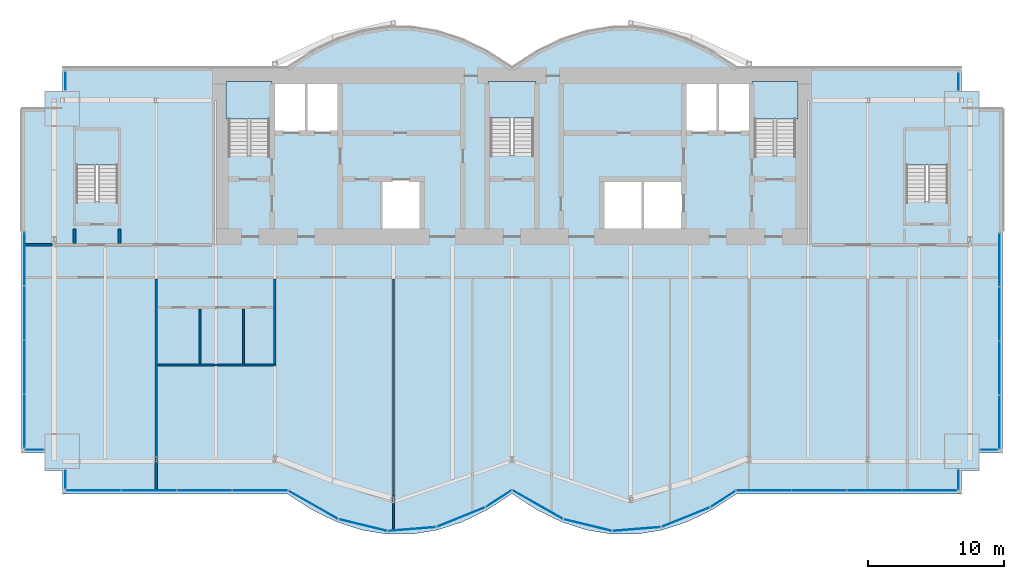
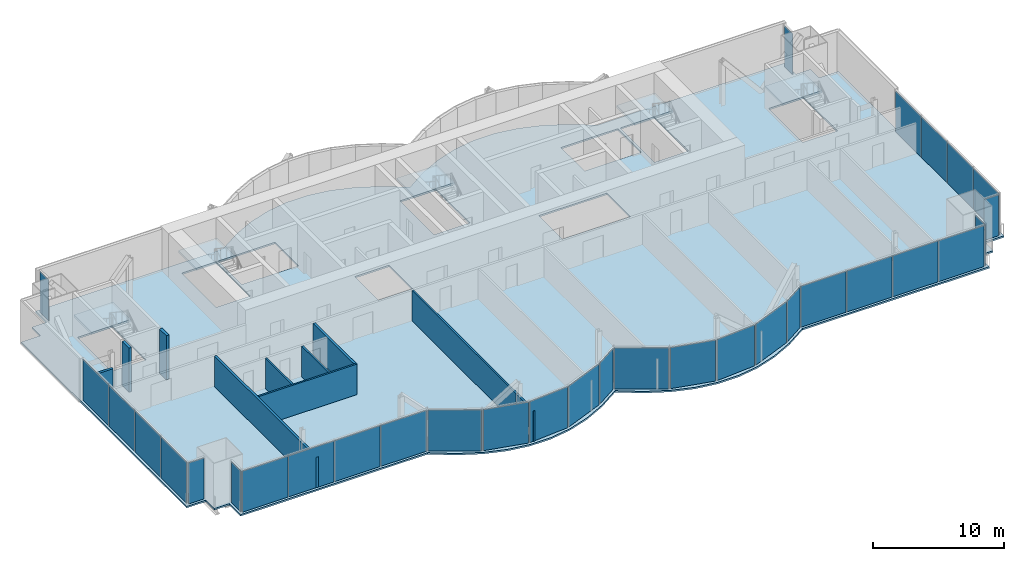
# One storey, part 13 of 20: 32 plates, 10 walls, 6 slabs, 17 elements without a shape of their own.
"""IFC4 building model written with IfcOpenShell, lengths in metres."""

from ifc_helpers import new_model, si_unit, direction, frame, frame_2d, origin, origin_2d, place, context, subcontext, project, spatial, polyline, rectangle, outline, extrude, material, layer, layer_set, type_object, element, aggregate, save


model = new_model("IFC4")

# Units and contexts
model_context = context("Model", 3, precision=1e-05, world=origin(), true_north=direction((0.0, 1.0)))
body_context = subcontext(model_context, "Body", "Model", "MODEL_VIEW")
ifc_project = project(units=[si_unit("LENGTHUNIT", "METRE"), si_unit("AREAUNIT", "SQUARE_METRE"), si_unit("VOLUMEUNIT", "CUBIC_METRE"), si_unit("PLANEANGLEUNIT", "RADIAN"), si_unit("MASSUNIT", "GRAM", prefix="KILO")], contexts=[model_context])

# Site, building, storey
site_placement = place(None, origin())
site = spatial("IfcSite", under=ifc_project, at=site_placement, CompositionType="ELEMENT")
building_placement = place(site_placement, origin())
building = spatial("IfcBuilding", under=site, at=building_placement, Name="Bicima Exchange Tower", CompositionType="ELEMENT")
storey_placement = place(building_placement, frame((0.0, 0.0, 223.699951171875)))
storey = spatial("IfcBuildingStorey", under=building, at=storey_placement, Name="L50", CompositionType="ELEMENT", Elevation=223.699951171875)

# Slab
ifc_material_1 = material(Name="Concrete C40/50", Category="concrete")
ifc_layer_1 = layer(ifc_material_1, 0.14990234375)
ifc_layer_set_1 = layer_set([ifc_layer_1], Name="Concrete C40/50")
slab_type_1 = type_object("IfcSlabType", Name="Composite floor slab 150", PredefinedType="FLOOR", material=ifc_layer_set_1)
slab_1_placement = place(storey_placement, frame((0.0, 0.0, -0.14990234375)))
element("IfcSlab", 1, at=slab_1_placement, inside=storey, type_object=slab_type_1, Name="Floor slab", PredefinedType="FLOOR", context=body_context, shape_type="SweptSolid", body=[
    extrude(outline(polyline([(-36.0, -28.263916015625), (-36.0, -3.0), (-34.300048828125, -3.0), (-34.300048828125, -1.699951171875), (-33.0, -1.699951171875), (-33.0, 0.0), (-16.5, 0.0), (-14.666748046875, 1.185302734375), (-12.833251953125, 2.07421875), (-11.0, 2.666748046875), (-9.166748046875, 2.962890625), (-7.333251953125, 2.962890625), (-5.5, 2.666748046875), (-3.666748046875, 2.07421875), (-1.833251953125, 1.185302734375), (0.0, 0.0), (1.833251953125, 1.185302734375), (3.666748046875, 2.07421875), (5.5, 2.666748046875), (7.333251953125, 2.962890625), (9.166748046875, 2.962890625), (11.0, 2.666748046875), (12.833251953125, 2.07421875), (14.666748046875, 1.185302734375), (16.5, 0.0), (33.0, 0.0), (33.0, -1.699951171875), (34.300048828125, -1.699951171875), (34.300048828125, -3.0), (36.0, -3.0), (36.0, -28.263916015625), (34.300048828125, -28.263916015625), (34.300048828125, -29.56396484375), (33.0, -29.56396484375), (33.0, -31.263916015625), (16.5, -31.263916015625), (14.666748046875, -32.44921875), (12.833251953125, -33.338134765625), (11.0, -33.9306640625), (9.166748046875, -34.22705078125), (7.333251953125, -34.22705078125), (5.5, -33.9306640625), (3.666748046875, -33.338134765625), (1.833251953125, -32.44921875), (0.0, -31.263916015625), (-1.833251953125, -32.44921875), (-3.666748046875, -33.338134765625), (-5.5, -33.9306640625), (-7.333251953125, -34.22705078125), (-9.166748046875, -34.22705078125), (-11.0, -33.9306640625), (-12.833251953125, -33.338134765625), (-14.666748046875, -32.44921875), (-16.5, -31.263916015625), (-33.0, -31.263916015625), (-33.0, -29.56396484375), (-34.300048828125, -29.56396484375), (-34.300048828125, -28.263916015625), (-36.0, -28.263916015625)]), holes=[polyline([(-6.60009765625, -11.800048828125), (-6.60009765625, -8.199951171875), (-9.60009765625, -8.199951171875), (-9.60009765625, -11.800048828125), (-6.60009765625, -11.800048828125)]), polyline([(-31.97509765625, -9.824951171875), (-28.925048828125, -9.824951171875), (-28.925048828125, -4.625), (-31.97509765625, -4.625), (-31.97509765625, -9.824951171875)]), polyline([(-20.800048828125, -6.449951171875), (-17.800048828125, -6.449951171875), (-17.800048828125, -1.199951171875), (-20.800048828125, -1.199951171875), (-20.800048828125, -6.449951171875)]), polyline([(1.574951171875, -6.39990234375), (1.574951171875, -1.199951171875), (-1.574951171875, -1.199951171875), (-1.574951171875, -6.39990234375), (1.574951171875, -6.39990234375)]), polyline([(-12.60009765625, -4.800048828125), (-12.60009765625, -1.199951171875), (-15.10009765625, -1.199951171875), (-17.60009765625, -1.199951171875), (-17.60009765625, -4.800048828125), (-15.10009765625, -4.800048828125), (-12.60009765625, -4.800048828125)]), polyline([(12.60009765625, -8.199951171875), (9.60009765625, -8.199951171875), (6.60009765625, -8.199951171875), (6.60009765625, -11.800048828125), (9.60009765625, -11.800048828125), (12.60009765625, -11.800048828125), (12.60009765625, -8.199951171875)]), polyline([(28.925048828125, -9.824951171875), (31.97509765625, -9.824951171875), (31.97509765625, -4.625), (28.925048828125, -4.625), (28.925048828125, -9.824951171875)]), polyline([(20.800048828125, -6.449951171875), (20.800048828125, -1.199951171875), (17.800048828125, -1.199951171875), (17.800048828125, -6.449951171875), (20.800048828125, -6.449951171875)]), polyline([(17.60009765625, -4.800048828125), (17.60009765625, -1.199951171875), (15.10009765625, -1.199951171875), (12.60009765625, -1.199951171875), (12.60009765625, -4.800048828125), (15.10009765625, -4.800048828125), (17.60009765625, -4.800048828125)])]), origin(), (0.0, 0.0, 1.0), 0.14990234375),
])

# Curtain wall, plate
ifc_material_2 = material(Name="Anodised bronze aluminium", Category="aluminium")
curtain_wall_type_1 = type_object("IfcCurtainWallType", Name="End face glass wall", PredefinedType="NOTDEFINED", material=ifc_material_2)
curtain_wall_1_placement = place(storey_placement, origin())
curtain_wall_1 = element("IfcCurtainWall", 2, at=curtain_wall_1_placement, inside=storey, type_object=curtain_wall_type_1, Name="End face glass wall L50 run 2", PredefinedType="NOTDEFINED")
ifc_material_3 = material(Name="Bronze tinted glass", Category="glass")
ifc_layer_2 = layer(ifc_material_3, 0.031982421875)
ifc_layer_set_2 = layer_set([ifc_layer_2], Name="Bronze tinted glass")
plate_type_1 = type_object("IfcPlateType", Name="End face glass wall glass panel 32", PredefinedType="CURTAIN_PANEL", material=ifc_layer_set_2)
plate_1_placement = place(storey_placement, frame((-35.77001953125, -25.937255859375, 0.0), z_axis=(0.0, 0.0, 1.0), x_axis=(0.0, -1.0, 0.0)))
plate_1 = element("IfcPlate", 3, at=plate_1_placement, type_object=plate_type_1, Name="End face glass wall panel 4.1", PredefinedType="CURTAIN_PANEL", context=body_context, shape_type="SweptSolid", body=[
    extrude(rectangle(XDim=3.91357421875, YDim=0.031982421875, at=origin_2d()), origin(), (0.0, 0.0, 1.0), 3.81005859375),
])

curtain_wall_2_placement = place(storey_placement, origin())
curtain_wall_2 = element("IfcCurtainWall", 4, at=curtain_wall_2_placement, inside=storey, type_object=curtain_wall_type_1, Name="End face glass wall L50 run 19", PredefinedType="NOTDEFINED")
plate_2_placement = place(storey_placement, frame((35.77001953125, -26.017333984375, 0.0), z_axis=(0.0, 0.0, 1.0), x_axis=(0.0, 1.0, 0.0)))
plate_2 = element("IfcPlate", 5, at=plate_2_placement, type_object=plate_type_1, Name="End face glass wall panel 1.1", PredefinedType="CURTAIN_PANEL", context=body_context, shape_type="SweptSolid", body=[
    extrude(rectangle(XDim=3.91357421875, YDim=0.031982421875, at=origin_2d()), origin(), (0.0, 0.0, 1.0), 3.81005859375),
])

# Plate
ifc_material_4 = material(Name="Bronze anodised aluminium", Category="aluminium")
ifc_layer_3 = layer(ifc_material_4, 0.031982421875)
ifc_layer_set_3 = layer_set([ifc_layer_3], Name="Bronze anodised aluminium")
plate_type_2 = type_object("IfcPlateType", Name="End face glass wall spandrel panel 32", PredefinedType="CURTAIN_PANEL", material=ifc_layer_set_3)
plate_3_placement = place(storey_placement, frame((-35.77001953125, -14.016845703125, 0.0), z_axis=(0.0, 0.0, 1.0), x_axis=(0.0, -1.0, 0.0)))
plate_3 = element("IfcPlate", 6, at=plate_3_placement, type_object=plate_type_2, Name="End face spandrel wall panel 1.1", PredefinedType="CURTAIN_PANEL", context=body_context, shape_type="SweptSolid", body=[
    extrude(rectangle(XDim=3.91357421875, YDim=0.031982421875, at=origin_2d()), origin(), (0.0, 0.0, 1.0), 3.81005859375),
])

plate_4_placement = place(storey_placement, frame((-35.77001953125, -17.990234375, 0.0), z_axis=(0.0, 0.0, 1.0), x_axis=(0.0, -1.0, 0.0)))
plate_4 = element("IfcPlate", 7, at=plate_4_placement, type_object=plate_type_2, Name="End face spandrel wall panel 2.1", PredefinedType="CURTAIN_PANEL", context=body_context, shape_type="SweptSolid", body=[
    extrude(rectangle(XDim=3.91357421875, YDim=0.031982421875, at=origin_2d()), origin(), (0.0, 0.0, 1.0), 3.81005859375),
])

plate_5_placement = place(storey_placement, frame((-35.77001953125, -21.9638671875, 0.0), z_axis=(0.0, 0.0, 1.0), x_axis=(0.0, -1.0, 0.0)))
plate_5 = element("IfcPlate", 8, at=plate_5_placement, type_object=plate_type_2, Name="End face spandrel wall panel 3.1", PredefinedType="CURTAIN_PANEL", context=body_context, shape_type="SweptSolid", body=[
    extrude(rectangle(XDim=3.91357421875, YDim=0.031982421875, at=origin_2d()), origin(), (0.0, 0.0, 1.0), 3.81005859375),
])

aggregate(curtain_wall_1, [plate_3, plate_4, plate_5, plate_1])

plate_6_placement = place(storey_placement, frame((35.77001953125, -22.043701171875, 0.0), z_axis=(0.0, 0.0, 1.0), x_axis=(0.0, 1.0, 0.0)))
plate_6 = element("IfcPlate", 9, at=plate_6_placement, type_object=plate_type_2, Name="End face spandrel wall panel 2.1", PredefinedType="CURTAIN_PANEL", context=body_context, shape_type="SweptSolid", body=[
    extrude(rectangle(XDim=3.91357421875, YDim=0.031982421875, at=origin_2d()), origin(), (0.0, 0.0, 1.0), 3.81005859375),
])

plate_7_placement = place(storey_placement, frame((35.77001953125, -18.0703125, 0.0), z_axis=(0.0, 0.0, 1.0), x_axis=(0.0, 1.0, 0.0)))
plate_7 = element("IfcPlate", 10, at=plate_7_placement, type_object=plate_type_2, Name="End face spandrel wall panel 3.1", PredefinedType="CURTAIN_PANEL", context=body_context, shape_type="SweptSolid", body=[
    extrude(rectangle(XDim=3.91357421875, YDim=0.031982421875, at=origin_2d()), origin(), (0.0, 0.0, 1.0), 3.81005859375),
])

plate_8_placement = place(storey_placement, frame((35.77001953125, -14.0966796875, 0.0), z_axis=(0.0, 0.0, 1.0), x_axis=(0.0, 1.0, 0.0)))
plate_8 = element("IfcPlate", 11, at=plate_8_placement, type_object=plate_type_2, Name="End face spandrel wall panel 4.1", PredefinedType="CURTAIN_PANEL", context=body_context, shape_type="SweptSolid", body=[
    extrude(rectangle(XDim=3.91357421875, YDim=0.031982421875, at=origin_2d()), origin(), (0.0, 0.0, 1.0), 3.81005859375),
])

aggregate(curtain_wall_2, [plate_2, plate_6, plate_7, plate_8])

# Curtain wall, plate
curtain_wall_type_2 = type_object("IfcCurtainWallType", Name="Front glass wall", PredefinedType="NOTDEFINED", material=ifc_material_2)
curtain_wall_3_placement = place(storey_placement, origin())
curtain_wall_3 = element("IfcCurtainWall", 12, at=curtain_wall_3_placement, inside=storey, type_object=curtain_wall_type_2, Name="Front glass wall L50 run 1", PredefinedType="NOTDEFINED")
ifc_layer_4 = layer(ifc_material_3, 0.031982421875)
ifc_layer_set_4 = layer_set([ifc_layer_4], Name="Bronze tinted glass")
plate_type_3 = type_object("IfcPlateType", Name="Front glass wall glass panel 32", PredefinedType="CURTAIN_PANEL", material=ifc_layer_set_4)
plate_9_placement = place(storey_placement, frame((-32.77001953125, -0.965087890625, 0.0), z_axis=(0.0, 0.0, 1.0), x_axis=(0.0, -1.0, 0.0)))
plate_9 = element("IfcPlate", 13, at=plate_9_placement, type_object=plate_type_3, Name="Front glass wall panel 1.1", PredefinedType="CURTAIN_PANEL", context=body_context, shape_type="SweptSolid", body=[
    extrude(rectangle(XDim=1.35009765625, YDim=0.031982421875, at=origin_2d()), origin(), (0.0, 0.0, 1.0), 3.81005859375),
])
aggregate(curtain_wall_3, [plate_9])

curtain_wall_4_placement = place(storey_placement, origin())
curtain_wall_4 = element("IfcCurtainWall", 14, at=curtain_wall_4_placement, inside=storey, type_object=curtain_wall_type_2, Name="Front glass wall L50 run 3", PredefinedType="NOTDEFINED")
plate_10_placement = place(storey_placement, frame((-35.034912109375, -28.033935546875, 0.0), z_axis=(0.0, 0.0, 1.0), x_axis=(1.0, 0.0, 0.0)))
plate_10 = element("IfcPlate", 15, at=plate_10_placement, type_object=plate_type_3, Name="Front glass wall panel 1.1", PredefinedType="CURTAIN_PANEL", context=body_context, shape_type="SweptSolid", body=[
    extrude(rectangle(XDim=1.35009765625, YDim=0.031982421875, at=origin_2d()), origin(), (0.0, 0.0, 1.0), 3.81005859375),
])
aggregate(curtain_wall_4, [plate_10])

curtain_wall_5_placement = place(storey_placement, origin())
curtain_wall_5 = element("IfcCurtainWall", 16, at=curtain_wall_5_placement, inside=storey, type_object=curtain_wall_type_2, Name="Front glass wall L50 run 4", PredefinedType="NOTDEFINED")
plate_11_placement = place(storey_placement, frame((-32.77001953125, -30.197998046875, 0.0), z_axis=(0.0, 0.0, 1.0), x_axis=(0.0, -1.0, 0.0)))
plate_11 = element("IfcPlate", 17, at=plate_11_placement, type_object=plate_type_3, Name="Front glass wall panel 1.1", PredefinedType="CURTAIN_PANEL", context=body_context, shape_type="SweptSolid", body=[
    extrude(rectangle(XDim=1.39208984375, YDim=0.031982421875, at=origin_2d()), origin(), (0.0, 0.0, 1.0), 3.81005859375),
])
aggregate(curtain_wall_5, [plate_11])

# Curtain wall, plates
curtain_wall_6_placement = place(storey_placement, origin())
curtain_wall_6 = element("IfcCurtainWall", 18, at=curtain_wall_6_placement, inside=storey, type_object=curtain_wall_type_2, Name="Front glass wall L50 run 5", PredefinedType="NOTDEFINED")
plate_12_placement = place(storey_placement, frame((-30.705322265625, -31.033935546875, 0.0), z_axis=(0.0, 0.0, 1.0), x_axis=(1.0, 0.0, 0.0)))
plate_12 = element("IfcPlate", 19, at=plate_12_placement, type_object=plate_type_3, Name="Front glass wall panel 1.1", PredefinedType="CURTAIN_PANEL", context=body_context, shape_type="SweptSolid", body=[
    extrude(rectangle(XDim=4.009521484375, YDim=0.031982421875, at=origin_2d()), origin(), (0.0, 0.0, 1.0), 3.81005859375),
])
plate_13_placement = place(storey_placement, frame((-18.496826171875, -31.033935546875, 0.0), z_axis=(0.0, 0.0, 1.0), x_axis=(1.0, 0.0, 0.0)))
plate_13 = element("IfcPlate", 20, at=plate_13_placement, type_object=plate_type_3, Name="Front glass wall panel 4.1", PredefinedType="CURTAIN_PANEL", context=body_context, shape_type="SweptSolid", body=[
    extrude(rectangle(XDim=4.009521484375, YDim=0.031982421875, at=origin_2d()), origin(), (0.0, 0.0, 1.0), 3.81005859375),
])

curtain_wall_7_placement = place(storey_placement, origin())
curtain_wall_7 = element("IfcCurtainWall", 21, at=curtain_wall_7_placement, inside=storey, type_object=curtain_wall_type_2, Name="Front glass wall L50 run 6", PredefinedType="NOTDEFINED")
plate_14_placement = place(storey_placement, frame((-14.589599609375, -32.0791015625, 0.0), z_axis=(0.0, 0.0, 1.0), x_axis=(0.869805110681, -0.493395449343, 0.0)))
plate_14 = element("IfcPlate", 22, at=plate_14_placement, type_object=plate_type_3, Name="Front glass wall panel 1.1", PredefinedType="CURTAIN_PANEL", context=body_context, shape_type="SweptSolid", body=[
    extrude(rectangle(XDim=4.1162109375, YDim=0.031982421875, at=origin_2d()), origin(), (0.0, 0.0, 1.0), 3.81005859375),
])
plate_15_placement = place(storey_placement, frame((-3.750244140625, -32.977294921875, 0.0), z_axis=(0.0, 0.0, 1.0), x_axis=(0.92714396679, 0.374705304, 0.0)))
plate_15 = element("IfcPlate", 23, at=plate_15_placement, type_object=plate_type_3, Name="Front glass wall panel 1.1", PredefinedType="CURTAIN_PANEL", context=body_context, shape_type="SweptSolid", body=[
    extrude(rectangle(XDim=3.771240234375, YDim=0.031982421875, at=origin_2d()), origin(), (0.0, 0.0, 1.0), 3.81005859375),
])
plate_16_placement = place(storey_placement, frame((-0.97314453125, -31.619140625, 0.0), z_axis=(0.0, 0.0, 1.0), x_axis=(0.839798994301, 0.542897457326, 0.0)))
plate_16 = element("IfcPlate", 24, at=plate_16_placement, type_object=plate_type_3, Name="Front glass wall panel 1.1", PredefinedType="CURTAIN_PANEL", context=body_context, shape_type="SweptSolid", body=[
    extrude(rectangle(XDim=2.197509765625, YDim=0.031982421875, at=origin_2d()), origin(), (0.0, 0.0, 1.0), 3.81005859375),
])

curtain_wall_8_placement = place(storey_placement, origin())
curtain_wall_8 = element("IfcCurtainWall", 25, at=curtain_wall_8_placement, inside=storey, type_object=curtain_wall_type_2, Name="Front glass wall L50 run 11", PredefinedType="NOTDEFINED")
plate_17_placement = place(storey_placement, frame((1.876220703125, -32.05712890625, 0.0), z_axis=(0.0, 0.0, 1.0), x_axis=(0.869274147378, -0.494330311331, 0.0)))
plate_17 = element("IfcPlate", 26, at=plate_17_placement, type_object=plate_type_3, Name="Front glass wall panel 1.1", PredefinedType="CURTAIN_PANEL", context=body_context, shape_type="SweptSolid", body=[
    extrude(rectangle(XDim=4.197021484375, YDim=0.031982421875, at=origin_2d()), origin(), (0.0, 0.0, 1.0), 3.81005859375),
])
plate_18_placement = place(storey_placement, frame((5.55224609375, -33.560546875, 0.0), z_axis=(0.0, 0.0, 1.0), x_axis=(0.971830343553, -0.235681529503, 0.0)))
plate_18 = element("IfcPlate", 27, at=plate_18_placement, type_object=plate_type_3, Name="Front glass wall panel 1.1", PredefinedType="CURTAIN_PANEL", context=body_context, shape_type="SweptSolid", body=[
    extrude(rectangle(XDim=3.583251953125, YDim=0.031982421875, at=origin_2d()), origin(), (0.0, 0.0, 1.0), 3.81005859375),
])
plate_19_placement = place(storey_placement, frame((12.749755859375, -32.977294921875, 0.0), z_axis=(0.0, 0.0, 1.0), x_axis=(0.92714396679, 0.374705304, 0.0)))
plate_19 = element("IfcPlate", 28, at=plate_19_placement, type_object=plate_type_3, Name="Front glass wall panel 1.1", PredefinedType="CURTAIN_PANEL", context=body_context, shape_type="SweptSolid", body=[
    extrude(rectangle(XDim=3.771240234375, YDim=0.031982421875, at=origin_2d()), origin(), (0.0, 0.0, 1.0), 3.81005859375),
])
plate_20_placement = place(storey_placement, frame((15.492919921875, -31.64111328125, 0.0), z_axis=(0.0, 0.0, 1.0), x_axis=(0.839791413941, 0.542909183079, 0.0)))
plate_20 = element("IfcPlate", 29, at=plate_20_placement, type_object=plate_type_3, Name="Front glass wall panel 1.1", PredefinedType="CURTAIN_PANEL", context=body_context, shape_type="SweptSolid", body=[
    extrude(rectangle(XDim=2.11669921875, YDim=0.031982421875, at=origin_2d()), origin(), (0.0, 0.0, 1.0), 3.81005859375),
])

curtain_wall_9_placement = place(storey_placement, origin())
curtain_wall_9 = element("IfcCurtainWall", 30, at=curtain_wall_9_placement, inside=storey, type_object=curtain_wall_type_2, Name="Front glass wall L50 run 16", PredefinedType="NOTDEFINED")
plate_21_placement = place(storey_placement, frame((18.48681640625, -31.033935546875, 0.0), z_axis=(0.0, 0.0, 1.0), x_axis=(1.0, 0.0, 0.0)))
plate_21 = element("IfcPlate", 31, at=plate_21_placement, type_object=plate_type_3, Name="Front glass wall panel 1.1", PredefinedType="CURTAIN_PANEL", context=body_context, shape_type="SweptSolid", body=[
    extrude(rectangle(XDim=3.989501953125, YDim=0.031982421875, at=origin_2d()), origin(), (0.0, 0.0, 1.0), 3.81005859375),
])
plate_22_placement = place(storey_placement, frame((30.63525390625, -31.033935546875, 0.0), z_axis=(0.0, 0.0, 1.0), x_axis=(1.0, 0.0, 0.0)))
plate_22 = element("IfcPlate", 32, at=plate_22_placement, type_object=plate_type_3, Name="Front glass wall panel 4.1", PredefinedType="CURTAIN_PANEL", context=body_context, shape_type="SweptSolid", body=[
    extrude(rectangle(XDim=3.989501953125, YDim=0.031982421875, at=origin_2d()), origin(), (0.0, 0.0, 1.0), 3.81005859375),
])

# Curtain wall, plate
curtain_wall_10_placement = place(storey_placement, origin())
curtain_wall_10 = element("IfcCurtainWall", 33, at=curtain_wall_10_placement, inside=storey, type_object=curtain_wall_type_2, Name="Front glass wall L50 run 17", PredefinedType="NOTDEFINED")
plate_23_placement = place(storey_placement, frame((32.77001953125, -30.238037109375, 0.0), z_axis=(0.0, 0.0, 1.0), x_axis=(0.0, 1.0, 0.0)))
plate_23 = element("IfcPlate", 34, at=plate_23_placement, type_object=plate_type_3, Name="Front glass wall panel 1.1", PredefinedType="CURTAIN_PANEL", context=body_context, shape_type="SweptSolid", body=[
    extrude(rectangle(XDim=1.471923828125, YDim=0.031982421875, at=origin_2d()), origin(), (0.0, 0.0, 1.0), 3.81005859375),
])
aggregate(curtain_wall_10, [plate_23])

curtain_wall_11_placement = place(storey_placement, origin())
curtain_wall_11 = element("IfcCurtainWall", 35, at=curtain_wall_11_placement, inside=storey, type_object=curtain_wall_type_2, Name="Front glass wall L50 run 18", PredefinedType="NOTDEFINED")
plate_24_placement = place(storey_placement, frame((34.9951171875, -28.033935546875, 0.0), z_axis=(0.0, 0.0, 1.0), x_axis=(1.0, 0.0, 0.0)))
plate_24 = element("IfcPlate", 36, at=plate_24_placement, type_object=plate_type_3, Name="Front glass wall panel 1.1", PredefinedType="CURTAIN_PANEL", context=body_context, shape_type="SweptSolid", body=[
    extrude(rectangle(XDim=1.27001953125, YDim=0.031982421875, at=origin_2d()), origin(), (0.0, 0.0, 1.0), 3.81005859375),
])
aggregate(curtain_wall_11, [plate_24])

curtain_wall_12_placement = place(storey_placement, origin())
curtain_wall_12 = element("IfcCurtainWall", 37, at=curtain_wall_12_placement, inside=storey, type_object=curtain_wall_type_2, Name="Front glass wall L50 run 20", PredefinedType="NOTDEFINED")
plate_25_placement = place(storey_placement, frame((32.77001953125, -1.0048828125, 0.0), z_axis=(0.0, 0.0, 1.0), x_axis=(0.0, 1.0, 0.0)))
plate_25 = element("IfcPlate", 38, at=plate_25_placement, type_object=plate_type_3, Name="Front glass wall panel 1.1", PredefinedType="CURTAIN_PANEL", context=body_context, shape_type="SweptSolid", body=[
    extrude(rectangle(XDim=1.27001953125, YDim=0.031982421875, at=origin_2d()), origin(), (0.0, 0.0, 1.0), 3.81005859375),
])
aggregate(curtain_wall_12, [plate_25])

# Plate
ifc_layer_5 = layer(ifc_material_4, 0.031982421875)
ifc_layer_set_5 = layer_set([ifc_layer_5], Name="Bronze anodised aluminium")
plate_type_4 = type_object("IfcPlateType", Name="Front glass wall spandrel panel 32", PredefinedType="CURTAIN_PANEL", material=ifc_layer_set_5)
plate_26_placement = place(storey_placement, frame((-26.6357421875, -31.033935546875, 0.0), z_axis=(0.0, 0.0, 1.0), x_axis=(1.0, 0.0, 0.0)))
plate_26 = element("IfcPlate", 39, at=plate_26_placement, type_object=plate_type_4, Name="Front spandrel wall panel 2.1", PredefinedType="CURTAIN_PANEL", context=body_context, shape_type="SweptSolid", body=[
    extrude(rectangle(XDim=4.009521484375, YDim=0.031982421875, at=origin_2d()), origin(), (0.0, 0.0, 1.0), 3.81005859375),
])

plate_27_placement = place(storey_placement, frame((-22.56640625, -31.033935546875, 0.0), z_axis=(0.0, 0.0, 1.0), x_axis=(1.0, 0.0, 0.0)))
plate_27 = element("IfcPlate", 40, at=plate_27_placement, type_object=plate_type_4, Name="Front spandrel wall panel 3.1", PredefinedType="CURTAIN_PANEL", context=body_context, shape_type="SweptSolid", body=[
    extrude(rectangle(XDim=4.009521484375, YDim=0.031982421875, at=origin_2d()), origin(), (0.0, 0.0, 1.0), 3.81005859375),
])

aggregate(curtain_wall_6, [plate_12, plate_26, plate_27, plate_13])

plate_28_placement = place(storey_placement, frame((-10.94775390625, -33.560546875, 0.0), z_axis=(0.0, 0.0, 1.0), x_axis=(0.971830343553, -0.235681529503, 0.0)))
plate_28 = element("IfcPlate", 41, at=plate_28_placement, type_object=plate_type_4, Name="Front spandrel wall panel 1.1", PredefinedType="CURTAIN_PANEL", context=body_context, shape_type="SweptSolid", body=[
    extrude(rectangle(XDim=3.583251953125, YDim=0.031982421875, at=origin_2d()), origin(), (0.0, 0.0, 1.0), 3.81005859375),
])

plate_29_placement = place(storey_placement, frame((-7.35107421875, -33.851806640625, 0.0), z_axis=(0.0, 0.0, 1.0), x_axis=(0.99674744821, 0.080588612633, 0.0)))
plate_29 = element("IfcPlate", 42, at=plate_29_placement, type_object=plate_type_4, Name="Front spandrel wall panel 1.1", PredefinedType="CURTAIN_PANEL", context=body_context, shape_type="SweptSolid", body=[
    extrude(rectangle(XDim=3.486083984375, YDim=0.031982421875, at=origin_2d()), origin(), (0.0, 0.0, 1.0), 3.81005859375),
])

aggregate(curtain_wall_7, [plate_14, plate_28, plate_29, plate_15, plate_16])

plate_30_placement = place(storey_placement, frame((9.14892578125, -33.851806640625, 0.0), z_axis=(0.0, 0.0, 1.0), x_axis=(0.99674744821, 0.080588612633, 0.0)))
plate_30 = element("IfcPlate", 43, at=plate_30_placement, type_object=plate_type_4, Name="Front spandrel wall panel 1.1", PredefinedType="CURTAIN_PANEL", context=body_context, shape_type="SweptSolid", body=[
    extrude(rectangle(XDim=3.486083984375, YDim=0.031982421875, at=origin_2d()), origin(), (0.0, 0.0, 1.0), 3.81005859375),
])

aggregate(curtain_wall_8, [plate_17, plate_18, plate_30, plate_19, plate_20])

plate_31_placement = place(storey_placement, frame((22.536376953125, -31.033935546875, 0.0), z_axis=(0.0, 0.0, 1.0), x_axis=(1.0, 0.0, 0.0)))
plate_31 = element("IfcPlate", 44, at=plate_31_placement, type_object=plate_type_4, Name="Front spandrel wall panel 2.1", PredefinedType="CURTAIN_PANEL", context=body_context, shape_type="SweptSolid", body=[
    extrude(rectangle(XDim=3.989501953125, YDim=0.031982421875, at=origin_2d()), origin(), (0.0, 0.0, 1.0), 3.81005859375),
])

plate_32_placement = place(storey_placement, frame((26.585693359375, -31.033935546875, 0.0), z_axis=(0.0, 0.0, 1.0), x_axis=(1.0, 0.0, 0.0)))
plate_32 = element("IfcPlate", 45, at=plate_32_placement, type_object=plate_type_4, Name="Front spandrel wall panel 3.1", PredefinedType="CURTAIN_PANEL", context=body_context, shape_type="SweptSolid", body=[
    extrude(rectangle(XDim=3.989501953125, YDim=0.031982421875, at=origin_2d()), origin(), (0.0, 0.0, 1.0), 3.81005859375),
])

aggregate(curtain_wall_9, [plate_21, plate_31, plate_32, plate_22])

# Stair, slab
ifc_material_5 = material(Name="Concrete C50/60", Category="concrete")
stair_type_1 = type_object("IfcStairType", Name="Exit stair", PredefinedType="HALF_TURN_STAIR", material=ifc_material_5)
stair_1_placement = place(storey_placement, origin())
stair_1 = element("IfcStair", 46, at=stair_1_placement, inside=storey, type_object=stair_type_1, Name="L50 West exit stair", PredefinedType="HALF_TURN_STAIR")
ifc_layer_6 = layer(ifc_material_5, 0.199951171875)
ifc_layer_set_6 = layer_set([ifc_layer_6], Name="Concrete C50/60")
slab_type_2 = type_object("IfcSlabType", Name="Stair landing slab", PredefinedType="LANDING", material=ifc_layer_set_6)
slab_2_placement = place(storey_placement, frame((0.0, 0.0, 1.85009765625)))
slab_2 = element("IfcSlab", 47, at=slab_2_placement, type_object=slab_type_2, Name="ST-W landing 1", PredefinedType="LANDING", context=body_context, shape_type="SweptSolid", body=[
    extrude(outline(polyline([(-17.60009765625, -3.75), (-17.60009765625, -1.0), (-21.0, -1.0), (-21.0, -3.75), (-17.60009765625, -3.75)])), origin(), (0.0, 0.0, 1.0), 0.199951171875),
])
aggregate(stair_1, [slab_2])

stair_type_2 = type_object("IfcStairType", Name="Exit stair 1500", PredefinedType="HALF_TURN_STAIR", material=ifc_material_5)
stair_2_placement = place(storey_placement, origin())
stair_2 = element("IfcStair", 48, at=stair_2_placement, inside=storey, type_object=stair_type_2, Name="L50 Central exit stair", PredefinedType="HALF_TURN_STAIR")
slab_3_placement = place(storey_placement, frame((0.0, 0.0, 1.85009765625)))
slab_3 = element("IfcSlab", 49, at=slab_3_placement, type_object=slab_type_2, Name="ST-C landing 1", PredefinedType="LANDING", context=body_context, shape_type="SweptSolid", body=[
    extrude(outline(polyline([(1.77490234375, -3.699951171875), (1.77490234375, -1.0), (-1.77490234375, -1.0), (-1.77490234375, -3.699951171875), (1.77490234375, -3.699951171875)])), origin(), (0.0, 0.0, 1.0), 0.199951171875),
])
aggregate(stair_2, [slab_3])

stair_3_placement = place(storey_placement, origin())
stair_3 = element("IfcStair", 50, at=stair_3_placement, inside=storey, type_object=stair_type_1, Name="L50 East exit stair", PredefinedType="HALF_TURN_STAIR")
slab_4_placement = place(storey_placement, frame((0.0, 0.0, 1.85009765625)))
slab_4 = element("IfcSlab", 51, at=slab_4_placement, type_object=slab_type_2, Name="ST-E landing 1", PredefinedType="LANDING", context=body_context, shape_type="SweptSolid", body=[
    extrude(outline(polyline([(21.0, -3.75), (21.0, -1.0), (17.60009765625, -1.0), (17.60009765625, -3.75), (21.0, -3.75)])), origin(), (0.0, 0.0, 1.0), 0.199951171875),
])
aggregate(stair_3, [slab_4])

stair_4_placement = place(storey_placement, origin())
stair_4 = element("IfcStair", 52, at=stair_4_placement, inside=storey, type_object=stair_type_1, Name="L50 West end exit stair", PredefinedType="HALF_TURN_STAIR")
slab_5_placement = place(storey_placement, frame((0.0, 0.0, 1.85009765625)))
slab_5 = element("IfcSlab", 53, at=slab_5_placement, type_object=slab_type_2, Name="ST-WW landing 1", PredefinedType="LANDING", context=body_context, shape_type="SweptSolid", body=[
    extrude(outline(polyline([(-28.72509765625, -7.125), (-28.72509765625, -4.425048828125), (-32.175048828125, -4.425048828125), (-32.175048828125, -7.125), (-28.72509765625, -7.125)])), origin(), (0.0, 0.0, 1.0), 0.199951171875),
])
aggregate(stair_4, [slab_5])

stair_5_placement = place(storey_placement, origin())
stair_5 = element("IfcStair", 54, at=stair_5_placement, inside=storey, type_object=stair_type_1, Name="L50 East end exit stair", PredefinedType="HALF_TURN_STAIR")
slab_6_placement = place(storey_placement, frame((0.0, 0.0, 1.85009765625)))
slab_6 = element("IfcSlab", 55, at=slab_6_placement, type_object=slab_type_2, Name="ST-EE landing 1", PredefinedType="LANDING", context=body_context, shape_type="SweptSolid", body=[
    extrude(outline(polyline([(32.175048828125, -7.125), (32.175048828125, -4.425048828125), (28.72509765625, -4.425048828125), (28.72509765625, -7.125), (32.175048828125, -7.125)])), origin(), (0.0, 0.0, 1.0), 0.199951171875),
])
aggregate(stair_5, [slab_6])

# Walls
ifc_material_6 = material(Name="Gypsum board partition")
ifc_layer_7 = layer(ifc_material_6, 0.199951171875)
ifc_layer_set_7 = layer_set([ifc_layer_7], Name="Gypsum board partition")
wall_type_1 = type_object("IfcWallType", Name="Fire-rated gypsum partition 200 EI60", PredefinedType="PARTITIONING", material=ifc_layer_set_7)
wall_1_placement = place(storey_placement, frame((-35.679931640625, -13.0, 0.0), z_axis=(0.0, 0.0, 1.0), x_axis=(1.0, 0.0, 0.0)))
element("IfcWall", 56, at=wall_1_placement, inside=storey, type_object=wall_type_1, Name="partition wall 4", PredefinedType="PARTITIONING", context=body_context, shape_type="SweptSolid", body=[
    extrude(rectangle(XDim=1.9599609375, YDim=0.199951171875, at=frame_2d((0.97998046875, 0.0))), origin(), (0.0, 0.0, 1.0), 2.84033203125),
])
wall_2_placement = place(storey_placement, frame((-26.10009765625, -31.050048828125, 0.0), z_axis=(0.0, 0.0, 1.0), x_axis=(0.0, 1.0, 0.0)))
element("IfcWall", 57, at=wall_2_placement, inside=storey, type_object=wall_type_1, Name="partition wall 14", PredefinedType="PARTITIONING", context=body_context, shape_type="SweptSolid", body=[
    extrude(rectangle(XDim=15.550048828125, YDim=0.199951171875, at=frame_2d((7.77490234375, 0.0))), origin(), (0.0, 0.0, 1.0), 2.84033203125),
])
wall_3_placement = place(storey_placement, frame((-17.39990234375, -21.72509765625, 0.0), z_axis=(0.0, 0.0, 1.0), x_axis=(0.0, 1.0, 0.0)))
element("IfcWall", 58, at=wall_3_placement, inside=storey, type_object=wall_type_1, Name="partition wall 17", PredefinedType="PARTITIONING", context=body_context, shape_type="SweptSolid", body=[
    extrude(rectangle(XDim=6.22509765625, YDim=0.199951171875, at=frame_2d((3.112548828125, 0.0))), origin(), (0.0, 0.0, 1.0), 2.84033203125),
])
ifc_layer_8 = layer(ifc_material_6, 0.14990234375)
ifc_layer_set_8 = layer_set([ifc_layer_8], Name="Gypsum board partition")
wall_type_2 = type_object("IfcWallType", Name="Gypsum partition 150", PredefinedType="PARTITIONING", material=ifc_layer_set_8)
wall_4_placement = place(storey_placement, frame((-26.0, -21.800048828125, 0.0), z_axis=(0.0, 0.0, 1.0), x_axis=(1.0, 0.0, 0.0)))
element("IfcWall", 59, at=wall_4_placement, inside=storey, type_object=wall_type_2, Name="partition wall 1", PredefinedType="PARTITIONING", context=body_context, shape_type="SweptSolid", body=[
    extrude(rectangle(XDim=8.699951171875, YDim=0.14990234375, at=frame_2d((4.35009765625, 0.0))), origin(), (0.0, 0.0, 1.0), 2.84033203125),
])
for number, where, z_axis, x_axis, name in (
    (60, (-22.89990234375, -21.72509765625, 0.0), (0.0, 0.0, 1.0), (0.0, 1.0, 0.0), "partition wall 15"),
    (61, (-19.699951171875, -21.72509765625, 0.0), (0.0, 0.0, 1.0), (0.0, 1.0, 0.0), "partition wall 16"),
):
    element("IfcWall", number, at=place(storey_placement, frame(where, z_axis=z_axis, x_axis=x_axis)), inside=storey, type_object=wall_type_2, Name=name, PredefinedType="PARTITIONING", context=body_context, shape_type="SweptSolid", body=[
        extrude(rectangle(XDim=4.025146484375, YDim=0.14990234375, at=frame_2d((2.0126953125, 0.0))), origin(), (0.0, 0.0, 1.0), 2.84033203125),
    ])
wall_5_placement = place(storey_placement, frame((-8.699951171875, -34.02001953125, 0.0), z_axis=(0.0, 0.0, 1.0), x_axis=(0.0, 1.0, 0.0)))
element("IfcWall", 62, at=wall_5_placement, inside=storey, type_object=wall_type_2, Name="partition wall 18", PredefinedType="PARTITIONING", context=body_context, shape_type="SweptSolid", body=[
    extrude(rectangle(XDim=2.646240234375, YDim=0.14990234375, at=frame_2d((1.3232421875, 0.0))), origin(), (0.0, 0.0, 1.0), 2.84033203125),
])
wall_6_placement = place(storey_placement, frame((-8.699951171875, -31.373779296875, 0.0), z_axis=(0.0, 0.0, 1.0), x_axis=(0.0, 1.0, 0.0)))
element("IfcWall", 63, at=wall_6_placement, inside=storey, type_object=wall_type_2, Name="partition wall 19", PredefinedType="PARTITIONING", context=body_context, shape_type="SweptSolid", body=[
    extrude(rectangle(XDim=15.873779296875, YDim=0.14990234375, at=frame_2d((7.93701171875, 0.0))), origin(), (0.0, 0.0, 1.0), 2.84033203125),
])
ifc_layer_9 = layer(ifc_material_5, 0.25)
ifc_layer_set_9 = layer_set([ifc_layer_9], Name="Concrete C50/60")
wall_type_3 = type_object("IfcWallType", Name="RC core wall 250 C50/60", PredefinedType="SHEAR", material=ifc_layer_set_9)
for number, where, z_axis, x_axis, name in (
    (64, (-32.10009765625, -12.89990234375, 0.0), (0.0, 0.0, 1.0), (0.0, 1.0, 0.0), "stair wall 12"),
    (65, (-28.800048828125, -12.89990234375, 0.0), (0.0, 0.0, 1.0), (0.0, 1.0, 0.0), "stair wall 13"),
):
    element("IfcWall", number, at=place(storey_placement, frame(where, z_axis=z_axis, x_axis=x_axis)), inside=storey, type_object=wall_type_3, Name=name, PredefinedType="SHEAR", context=body_context, shape_type="SweptSolid", body=[
        extrude(rectangle(XDim=1.0498046875, YDim=0.25, at=frame_2d((0.52490234375, 0.0))), origin(), (0.0, 0.0, 1.0), 4.10009765625),
    ])

save(model, "model.ifc")
